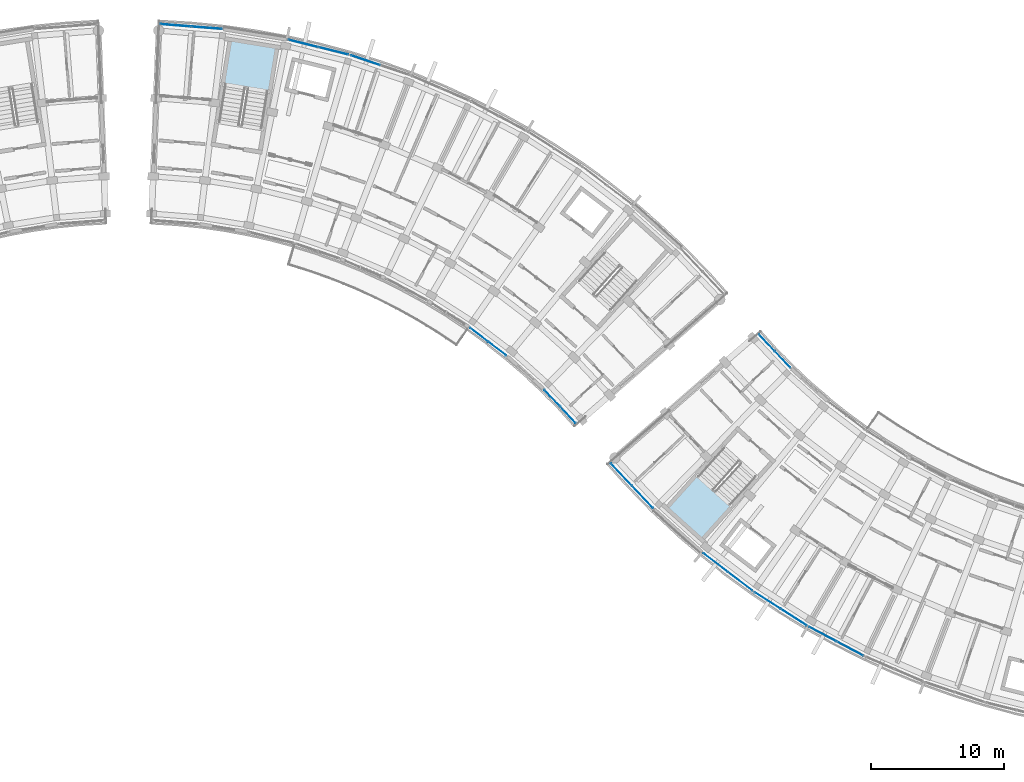
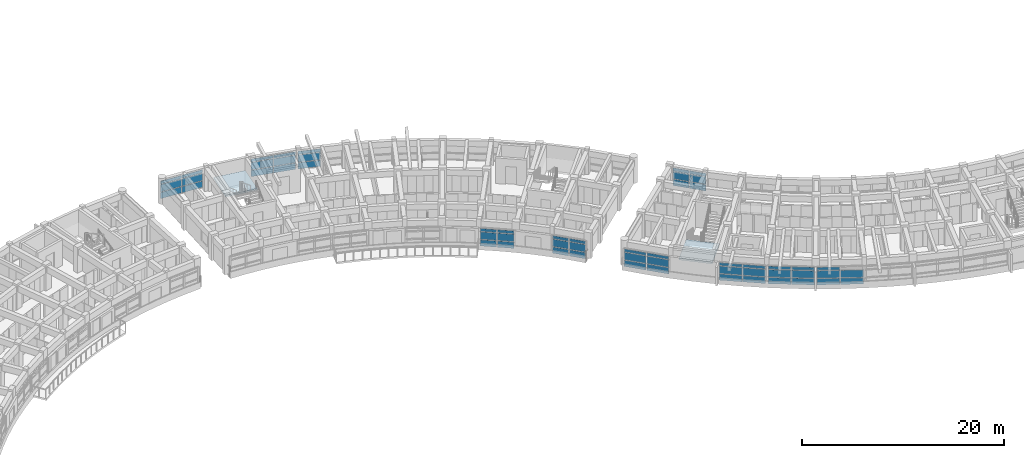
# One storey, part 22 of 56: 56 plates, 2 slabs, 12 elements without a shape of their own.
"""IFC4 building model written with IfcOpenShell, lengths in metres."""

import ifcopenshell
import ifcopenshell.guid

model = None  # the IFC model being written
_history = None  # IfcOwnerHistory: only IFC2X3 demands one
_inside = {}  # id of a spatial element -> (the spatial element, [elements in it])
_under = {}  # id of a project, library or spatial element -> (it, [spatial elements below it])
_declared = {}  # id of a project -> (the project, [libraries it declares])
_typed = {}  # id of a type object -> (the type object, [elements of that type])
_made_of = {}  # id of a material, layer set ... -> (it, [elements and type objects made of it])


def new_model(schema):
    """Start an empty IFC model of exactly this schema.

    Asked for "IFC4X3", IfcOpenShell would pick the latest addendum, in which some entities
    have other attributes; the version numbers below select the first issue.
    IFC2X3 requires an IfcOwnerHistory on every rooted entity: one is made here for all.
    """
    global model, _history
    if schema == "IFC4X3":
        model = ifcopenshell.file(schema_version=(4, 3, 0, 0))
    else:
        model = ifcopenshell.file(schema=schema)
    _inside.clear()
    _under.clear()
    _declared.clear()
    _typed.clear()
    _made_of.clear()
    _history = None
    if model.schema == "IFC2X3":
        org = make("IfcOrganization", Name="unknown")
        user = make(
            "IfcPersonAndOrganization",
            ThePerson=make("IfcPerson", FamilyName="unknown"),
            TheOrganization=org,
        )
        app = make(
            "IfcApplication",
            ApplicationDeveloper=org,
            Version="unknown",
            ApplicationFullName="unknown",
            ApplicationIdentifier="unknown",
        )
        _history = make(
            "IfcOwnerHistory",
            OwningUser=user,
            OwningApplication=app,
            ChangeAction="ADDED",
            CreationDate=0,
        )
    return model


def make(cls, **values):
    """One entity of the class cls with the attributes given. An attribute that is None is left unset."""
    return model.create_entity(
        cls, **{name: value for name, value in values.items() if value is not None}
    )


def rooted(cls, **values):
    """An entity with a GlobalId (a new one), such as an element, a storey or a relation."""
    return make(cls, GlobalId=ifcopenshell.guid.new(), OwnerHistory=_history, **values)


def si_unit(unit_type, name, prefix=None):
    """IfcSIUnit, for example si_unit("LENGTHUNIT", "METRE", prefix="MILLI")."""
    return make("IfcSIUnit", UnitType=unit_type, Prefix=prefix, Name=name)


def assignment(units):
    """IfcUnitAssignment: the units of a project."""
    return None if units is None else make("IfcUnitAssignment", Units=units)


def point(xyz):
    """IfcCartesianPoint."""
    return None if xyz is None else make("IfcCartesianPoint", Coordinates=xyz)


def direction(xyz):
    """IfcDirection."""
    return None if xyz is None else make("IfcDirection", DirectionRatios=xyz)


def frame(location, z_axis=None, x_axis=None):
    """IfcAxis2Placement3D, a coordinate frame: its origin and axes. An axis left out is left unset."""
    return make(
        "IfcAxis2Placement3D",
        Location=point(location),
        Axis=direction(z_axis),
        RefDirection=direction(x_axis),
    )


def frame_2d(location, x_axis=None):
    """IfcAxis2Placement2D, a coordinate frame in the plane: its origin and x axis."""
    return make(
        "IfcAxis2Placement2D", Location=point(location), RefDirection=direction(x_axis)
    )


def origin():
    """The frame at (0, 0, 0) with its axes left unset."""
    return frame((0.0, 0.0, 0.0))


def origin_2d():
    """The frame at (0, 0) in the plane with its x axis left unset."""
    return frame_2d((0.0, 0.0))


def place(relative_to, where):
    """IfcLocalPlacement: puts the frame where relative to a parent placement (None: the world)."""
    return make(
        "IfcLocalPlacement", PlacementRelTo=relative_to, RelativePlacement=where
    )


def context(
    kind, dimensions, precision=None, world=None, true_north=None, identifier=None
):
    """IfcGeometricRepresentationContext, for example the 3D "Model" context."""
    return make(
        "IfcGeometricRepresentationContext",
        ContextIdentifier=identifier,
        ContextType=kind,
        CoordinateSpaceDimension=dimensions,
        Precision=precision,
        WorldCoordinateSystem=world,
        TrueNorth=true_north,
    )


def subcontext(parent, identifier, kind, view, scale=None):
    """IfcGeometricRepresentationSubContext, for example "Body" below "Model"."""
    return make(
        "IfcGeometricRepresentationSubContext",
        ContextIdentifier=identifier,
        ContextType=kind,
        ParentContext=parent,
        TargetScale=scale,
        TargetView=view,
    )


def project(units=None, contexts=None):
    """IfcProject with its units and contexts."""
    return rooted(
        "IfcProject",
        Name="project",
        RepresentationContexts=contexts,
        UnitsInContext=assignment(units),
    )


def spatial(cls, under=None, at=None, **own):
    """A site, building, storey or space (cls), placed at a placement, below another one or the project."""
    s = rooted(cls, ObjectPlacement=at, **own)
    if under is not None:
        _under.setdefault(under.id(), (under, []))[1].append(s)
    return s


def polyline(points):
    """IfcPolyline through the points."""
    return make("IfcPolyline", Points=[point(p) for p in points])


def profile(cls, at=None, kind="AREA", **sizes):
    """A parametric profile (cls). Its sizes go by their IFC names, for example OverallWidth=200.0."""
    return make(cls, ProfileType=kind, Position=at, **sizes)


def rectangle(**sizes):
    """IfcRectangleProfileDef."""
    return profile("IfcRectangleProfileDef", **sizes)


def outline(outer, holes=None, kind="AREA"):
    """IfcArbitraryClosedProfileDef: a profile drawn as a closed curve; with holes, ...WithVoids."""
    if holes is None:
        return make("IfcArbitraryClosedProfileDef", ProfileType=kind, OuterCurve=outer)
    return make(
        "IfcArbitraryProfileDefWithVoids",
        ProfileType=kind,
        OuterCurve=outer,
        InnerCurves=holes,
    )


def extrude(swept, where, along, depth):
    """IfcExtrudedAreaSolid: the profile swept, set in the frame where, extruded along a direction by depth."""
    return make(
        "IfcExtrudedAreaSolid",
        SweptArea=swept,
        Position=where,
        ExtrudedDirection=direction(along),
        Depth=depth,
    )


def shape(context_of_items, identifier, shape_type, items):
    """IfcShapeRepresentation: the items that make up one representation, for example the "Body"."""
    return make(
        "IfcShapeRepresentation",
        ContextOfItems=context_of_items,
        RepresentationIdentifier=identifier,
        RepresentationType=shape_type,
        Items=items,
    )


def material(Name=None, Category=None):
    """IfcMaterial."""
    return make("IfcMaterial", Name=Name, Category=Category)


def layer(
    of_material, thickness, ventilated=None, Name=None, Category=None, Priority=None
):
    """IfcMaterialLayer: one layer of a wall or slab, of a material (None: an air gap)."""
    return make(
        "IfcMaterialLayer",
        Material=of_material,
        LayerThickness=thickness,
        IsVentilated=ventilated,
        Name=Name,
        Category=Category,
        Priority=Priority,
    )


def layer_set(layers, Name=None):
    """IfcMaterialLayerSet."""
    return make("IfcMaterialLayerSet", MaterialLayers=layers, LayerSetName=Name)


def made_of(thing, what):
    """Note that an element or type object is made of a material, layer set ...; save() writes the relation."""
    if what is not None:
        _made_of.setdefault(what.id(), (what, []))[1].append(thing)
    return thing


def type_object(cls, material=None, **own):
    """A type object (cls), such as IfcWallType, which elements share."""
    return made_of(rooted(cls, **own), material)


def element(
    cls,
    number,
    at=None,
    inside=None,
    cuts=None,
    type_object=None,
    material=None,
    context=None,
    identifier="Body",
    shape_type=None,
    held_by="IfcProductDefinitionShape",
    body=None,
    shapes=None,
    **own,
):
    """One element of the class cls, such as IfcWall. Its Tag is "e" and its number.

    at: its placement. inside: the storey or other place that contains it. cuts: it is an
    opening in that element (IfcRelVoidsElement). A single representation is given by context,
    identifier, shape_type and body (its items); several are given by shapes. held_by: the class
    of the entity that holds the representations. save() writes the other relations.
    """
    e = rooted(cls, Tag="e%d" % number, ObjectPlacement=at, **own)
    if body is not None:
        shapes = [shape(context, identifier, shape_type, body)]
    if shapes is not None:
        e.Representation = make(held_by, Representations=shapes)
    if inside is not None:
        _inside.setdefault(inside.id(), (inside, []))[1].append(e)
    if cuts is not None:
        rooted(
            "IfcRelVoidsElement", RelatingBuildingElement=cuts, RelatedOpeningElement=e
        )
    if type_object is not None:
        _typed.setdefault(type_object.id(), (type_object, []))[1].append(e)
    return made_of(e, material)


def aggregate(whole, parts):
    """IfcRelAggregates: a whole, such as a stair, and the parts it consists of."""
    return rooted("IfcRelAggregates", RelatingObject=whole, RelatedObjects=parts)


def save(model, path):
    """Write the relations noted so far, then the file.

    IfcRelAggregates (storeys below a building ...), IfcRelContainedInSpatialStructure (elements
    in a storey), IfcRelDefinesByType, IfcRelAssociatesMaterial and IfcRelDeclares: one each for
    every whole, place, type object, material and project.
    """
    for whole, parts in _under.values():
        aggregate(whole, parts)
    for where, things in _inside.values():
        rooted(
            "IfcRelContainedInSpatialStructure",
            RelatedElements=things,
            RelatingStructure=where,
        )
    for kind, things in _typed.values():
        rooted("IfcRelDefinesByType", RelatedObjects=things, RelatingType=kind)
    for what, things in _made_of.values():
        rooted("IfcRelAssociatesMaterial", RelatedObjects=things, RelatingMaterial=what)
    for by, libraries in _declared.values():
        rooted("IfcRelDeclares", RelatingContext=by, RelatedDefinitions=libraries)
    model.write(path)


model = new_model("IFC4")

# Units and contexts
model_context = context("Model", 3, precision=1e-05, world=origin(), true_north=direction((0.0, 1.0)))
body_context = subcontext(model_context, "Body", "Model", "MODEL_VIEW")
ifc_project = project(units=[si_unit("LENGTHUNIT", "METRE"), si_unit("AREAUNIT", "SQUARE_METRE"), si_unit("VOLUMEUNIT", "CUBIC_METRE"), si_unit("PLANEANGLEUNIT", "RADIAN"), si_unit("MASSUNIT", "GRAM", prefix="KILO")], contexts=[model_context])

# Site, building, storey
site_placement = place(None, origin())
site = spatial("IfcSite", under=ifc_project, at=site_placement, CompositionType="ELEMENT")
building_placement = place(site_placement, origin())
building = spatial("IfcBuilding", under=site, at=building_placement, Name="Zimvara Arc Housing Community", CompositionType="ELEMENT")
storey_placement = place(building_placement, frame((0.0, 0.0, 11.199951171875)))
storey = spatial("IfcBuildingStorey", under=building, at=storey_placement, Name="L03", CompositionType="ELEMENT", Elevation=11.199951171875)

# Curtain wall, plates
ifc_material_1 = material(Name="Anodised Aluminium AW-6063", Category="aluminium")
curtain_wall_type_1 = type_object("IfcCurtainWallType", Name="CW-SYS-04", PredefinedType="USERDEFINED", material=ifc_material_1)
curtain_wall_1_placement = place(storey_placement, origin())
curtain_wall_1 = element("IfcCurtainWall", 1, at=curtain_wall_1_placement, inside=storey, type_object=curtain_wall_type_1, Name="cw:blkB:L03:in:b9", ObjectType="CURTAIN WALL", PredefinedType="USERDEFINED")
ifc_material_2 = material(Name="Pale-Gold Anodised Aluminium Spandrel Panel", Category="aluminium")
ifc_layer_1 = layer(ifc_material_2, 0.035888671875)
ifc_layer_set_1 = layer_set([ifc_layer_1], Name="Pale-Gold Anodised Aluminium Spandrel Panel")
plate_type_1 = type_object("IfcPlateType", Name="CWP-GLD-36", PredefinedType="CURTAIN_PANEL", material=ifc_layer_set_1)
plate_1_placement = place(storey_placement, frame((76.831298828125, 75.727294921875, 0.065185546875), z_axis=(0.0, 0.0, 1.0), x_axis=(0.686326805658, -0.727293280483, 0.0)))
plate_1 = element("IfcPlate", 2, at=plate_1_placement, type_object=plate_type_1, Name="CW04 panel 1.1", PredefinedType="CURTAIN_PANEL", context=body_context, shape_type="SweptSolid", body=[
    extrude(rectangle(XDim=1.664306640625, YDim=0.035888671875, at=origin_2d()), origin(), (0.0, 0.0, 1.0), 0.75244140625),
])
plate_2_placement = place(storey_placement, frame((76.831298828125, 75.727294921875, 0.88232421875), z_axis=(0.0, 0.0, 1.0), x_axis=(0.686326805658, -0.727293280483, 0.0)))
plate_2 = element("IfcPlate", 3, at=plate_2_placement, type_object=plate_type_1, Name="CW04 panel 1.2", PredefinedType="CURTAIN_PANEL", context=body_context, shape_type="SweptSolid", body=[
    extrude(rectangle(XDim=1.664306640625, YDim=0.035888671875, at=origin_2d()), origin(), (0.0, 0.0, 1.0), 0.885009765625),
])
plate_3_placement = place(storey_placement, frame((76.831298828125, 75.727294921875, 1.83251953125), z_axis=(0.0, 0.0, 1.0), x_axis=(0.686326805658, -0.727293280483, 0.0)))
plate_3 = element("IfcPlate", 4, at=plate_3_placement, type_object=plate_type_1, Name="CW04 panel 1.3", PredefinedType="CURTAIN_PANEL", context=body_context, shape_type="SweptSolid", body=[
    extrude(rectangle(XDim=1.664306640625, YDim=0.035888671875, at=origin_2d()), origin(), (0.0, 0.0, 1.0), 0.3525390625),
])
plate_4_placement = place(storey_placement, frame((78.018310546875, 74.469482421875, 0.065185546875), z_axis=(0.0, 0.0, 1.0), x_axis=(0.686326805658, -0.727293280483, 0.0)))
plate_4 = element("IfcPlate", 5, at=plate_4_placement, type_object=plate_type_1, Name="CW04 panel 2.1", PredefinedType="CURTAIN_PANEL", context=body_context, shape_type="SweptSolid", body=[
    extrude(rectangle(XDim=1.664306640625, YDim=0.035888671875, at=origin_2d()), origin(), (0.0, 0.0, 1.0), 0.75244140625),
])
plate_5_placement = place(storey_placement, frame((78.018310546875, 74.469482421875, 0.88232421875), z_axis=(0.0, 0.0, 1.0), x_axis=(0.686326805658, -0.727293280483, 0.0)))
plate_5 = element("IfcPlate", 6, at=plate_5_placement, type_object=plate_type_1, Name="CW04 panel 2.2", PredefinedType="CURTAIN_PANEL", context=body_context, shape_type="SweptSolid", body=[
    extrude(rectangle(XDim=1.664306640625, YDim=0.035888671875, at=origin_2d()), origin(), (0.0, 0.0, 1.0), 0.885009765625),
])
plate_6_placement = place(storey_placement, frame((78.018310546875, 74.469482421875, 1.83251953125), z_axis=(0.0, 0.0, 1.0), x_axis=(0.686326805658, -0.727293280483, 0.0)))
plate_6 = element("IfcPlate", 7, at=plate_6_placement, type_object=plate_type_1, Name="CW04 panel 2.3", PredefinedType="CURTAIN_PANEL", context=body_context, shape_type="SweptSolid", body=[
    extrude(rectangle(XDim=1.664306640625, YDim=0.035888671875, at=origin_2d()), origin(), (0.0, 0.0, 1.0), 0.3525390625),
])
aggregate(curtain_wall_1, [plate_1, plate_2, plate_3, plate_4, plate_5, plate_6])

curtain_wall_2_placement = place(storey_placement, origin())
curtain_wall_2 = element("IfcCurtainWall", 8, at=curtain_wall_2_placement, inside=storey, type_object=curtain_wall_type_1, Name="cw:blkC:L03:in:b0", ObjectType="CURTAIN WALL", PredefinedType="USERDEFINED")
plate_7_placement = place(storey_placement, frame((92.961669921875, 79.890625, 0.065185546875), z_axis=(0.0, 0.0, 1.0), x_axis=(0.686326805658, -0.727293280483, 0.0)))
plate_7 = element("IfcPlate", 9, at=plate_7_placement, type_object=plate_type_1, Name="CW04 panel 1.1", PredefinedType="CURTAIN_PANEL", context=body_context, shape_type="SweptSolid", body=[
    extrude(rectangle(XDim=1.664306640625, YDim=0.035888671875, at=origin_2d()), origin(), (0.0, 0.0, 1.0), 0.75244140625),
])
plate_8_placement = place(storey_placement, frame((92.961669921875, 79.890625, 0.88232421875), z_axis=(0.0, 0.0, 1.0), x_axis=(0.686326805658, -0.727293280483, 0.0)))
plate_8 = element("IfcPlate", 10, at=plate_8_placement, type_object=plate_type_1, Name="CW04 panel 1.2", PredefinedType="CURTAIN_PANEL", context=body_context, shape_type="SweptSolid", body=[
    extrude(rectangle(XDim=1.664306640625, YDim=0.035888671875, at=origin_2d()), origin(), (0.0, 0.0, 1.0), 0.885009765625),
])
plate_9_placement = place(storey_placement, frame((92.961669921875, 79.890625, 1.83251953125), z_axis=(0.0, 0.0, 1.0), x_axis=(0.686326805658, -0.727293280483, 0.0)))
plate_9 = element("IfcPlate", 11, at=plate_9_placement, type_object=plate_type_1, Name="CW04 panel 1.3", PredefinedType="CURTAIN_PANEL", context=body_context, shape_type="SweptSolid", body=[
    extrude(rectangle(XDim=1.664306640625, YDim=0.035888671875, at=origin_2d()), origin(), (0.0, 0.0, 1.0), 0.3525390625),
])
plate_10_placement = place(storey_placement, frame((94.148681640625, 78.6328125, 0.065185546875), z_axis=(0.0, 0.0, 1.0), x_axis=(0.686326805658, -0.727293280483, 0.0)))
plate_10 = element("IfcPlate", 12, at=plate_10_placement, type_object=plate_type_1, Name="CW04 panel 2.1", PredefinedType="CURTAIN_PANEL", context=body_context, shape_type="SweptSolid", body=[
    extrude(rectangle(XDim=1.664306640625, YDim=0.035888671875, at=origin_2d()), origin(), (0.0, 0.0, 1.0), 0.75244140625),
])
plate_11_placement = place(storey_placement, frame((94.148681640625, 78.6328125, 0.88232421875), z_axis=(0.0, 0.0, 1.0), x_axis=(0.686326805658, -0.727293280483, 0.0)))
plate_11 = element("IfcPlate", 13, at=plate_11_placement, type_object=plate_type_1, Name="CW04 panel 2.2", PredefinedType="CURTAIN_PANEL", context=body_context, shape_type="SweptSolid", body=[
    extrude(rectangle(XDim=1.664306640625, YDim=0.035888671875, at=origin_2d()), origin(), (0.0, 0.0, 1.0), 0.885009765625),
])
plate_12_placement = place(storey_placement, frame((94.148681640625, 78.6328125, 1.83251953125), z_axis=(0.0, 0.0, 1.0), x_axis=(0.686326805658, -0.727293280483, 0.0)))
plate_12 = element("IfcPlate", 14, at=plate_12_placement, type_object=plate_type_1, Name="CW04 panel 2.3", PredefinedType="CURTAIN_PANEL", context=body_context, shape_type="SweptSolid", body=[
    extrude(rectangle(XDim=1.664306640625, YDim=0.035888671875, at=origin_2d()), origin(), (0.0, 0.0, 1.0), 0.3525390625),
])
aggregate(curtain_wall_2, [plate_7, plate_8, plate_9, plate_10, plate_11, plate_12])

ifc_material_3 = material(Name="Anodised Aluminium AW-6063", Category="aluminium")
curtain_wall_type_2 = type_object("IfcCurtainWallType", Name="CW-SYS-01", PredefinedType="USERDEFINED", material=ifc_material_3)
curtain_wall_3_placement = place(storey_placement, origin())
curtain_wall_3 = element("IfcCurtainWall", 15, at=curtain_wall_3_placement, inside=storey, type_object=curtain_wall_type_2, Name="cw:blkB:L03:out:b2", ObjectType="CURTAIN WALL", PredefinedType="USERDEFINED")
ifc_material_4 = material(Name="Solar Control Low-E Double Glazing", Category="glass")
ifc_layer_2 = layer(ifc_material_4, 0.02392578125)
ifc_layer_set_2 = layer_set([ifc_layer_2], Name="Solar Control Low-E Double Glazing")
plate_type_2 = type_object("IfcPlateType", Name="CWP-GLZ-24", PredefinedType="CURTAIN_PANEL", material=ifc_layer_set_2)
plate_13_placement = place(storey_placement, frame((58.12109375, 102.373291015625, 0.065185546875), z_axis=(0.0, 0.0, 1.0), x_axis=(0.970716068627, -0.240229711131, 0.0)))
plate_13 = element("IfcPlate", 16, at=plate_13_placement, type_object=plate_type_2, Name="CW01 panel 1.1", PredefinedType="CURTAIN_PANEL", context=body_context, shape_type="SweptSolid", body=[
    extrude(rectangle(XDim=2.266845703125, YDim=0.02392578125, at=origin_2d()), origin(), (0.0, 0.0, 1.0), 0.75244140625),
])
plate_14_placement = place(storey_placement, frame((58.12109375, 102.373291015625, 0.88232421875), z_axis=(0.0, 0.0, 1.0), x_axis=(0.970716068627, -0.240229711131, 0.0)))
plate_14 = element("IfcPlate", 17, at=plate_14_placement, type_object=plate_type_2, Name="CW01 panel 1.2", PredefinedType="CURTAIN_PANEL", context=body_context, shape_type="SweptSolid", body=[
    extrude(rectangle(XDim=2.266845703125, YDim=0.02392578125, at=origin_2d()), origin(), (0.0, 0.0, 1.0), 0.885009765625),
])
plate_15_placement = place(storey_placement, frame((58.12109375, 102.373291015625, 1.83251953125), z_axis=(0.0, 0.0, 1.0), x_axis=(0.970716068627, -0.240229711131, 0.0)))
plate_15 = element("IfcPlate", 18, at=plate_15_placement, type_object=plate_type_2, Name="CW01 panel 1.3", PredefinedType="CURTAIN_PANEL", context=body_context, shape_type="SweptSolid", body=[
    extrude(rectangle(XDim=2.266845703125, YDim=0.02392578125, at=origin_2d()), origin(), (0.0, 0.0, 1.0), 0.3525390625),
])
plate_16_placement = place(storey_placement, frame((60.384765625, 101.81298828125, 0.065185546875), z_axis=(0.0, 0.0, 1.0), x_axis=(0.970716068627, -0.240229711131, 0.0)))
plate_16 = element("IfcPlate", 19, at=plate_16_placement, type_object=plate_type_2, Name="CW01 panel 2.1", PredefinedType="CURTAIN_PANEL", context=body_context, shape_type="SweptSolid", body=[
    extrude(rectangle(XDim=2.266845703125, YDim=0.02392578125, at=origin_2d()), origin(), (0.0, 0.0, 1.0), 0.75244140625),
])
plate_17_placement = place(storey_placement, frame((60.384765625, 101.81298828125, 0.88232421875), z_axis=(0.0, 0.0, 1.0), x_axis=(0.970716068627, -0.240229711131, 0.0)))
plate_17 = element("IfcPlate", 20, at=plate_17_placement, type_object=plate_type_2, Name="CW01 panel 2.2", PredefinedType="CURTAIN_PANEL", context=body_context, shape_type="SweptSolid", body=[
    extrude(rectangle(XDim=2.266845703125, YDim=0.02392578125, at=origin_2d()), origin(), (0.0, 0.0, 1.0), 0.885009765625),
])
plate_18_placement = place(storey_placement, frame((60.384765625, 101.81298828125, 1.83251953125), z_axis=(0.0, 0.0, 1.0), x_axis=(0.970716068627, -0.240229711131, 0.0)))
plate_18 = element("IfcPlate", 21, at=plate_18_placement, type_object=plate_type_2, Name="CW01 panel 2.3", PredefinedType="CURTAIN_PANEL", context=body_context, shape_type="SweptSolid", body=[
    extrude(rectangle(XDim=2.266845703125, YDim=0.02392578125, at=origin_2d()), origin(), (0.0, 0.0, 1.0), 0.3525390625),
])
aggregate(curtain_wall_3, [plate_13, plate_14, plate_15, plate_16, plate_17, plate_18])

ifc_material_5 = material(Name="Anodised Aluminium AW-6063", Category="aluminium")
curtain_wall_type_3 = type_object("IfcCurtainWallType", Name="CW-SYS-05", PredefinedType="USERDEFINED", material=ifc_material_5)
curtain_wall_4_placement = place(storey_placement, origin())
curtain_wall_4 = element("IfcCurtainWall", 22, at=curtain_wall_4_placement, inside=storey, type_object=curtain_wall_type_3, Name="cw:blkC:L03:out:b2", ObjectType="CURTAIN WALL", PredefinedType="USERDEFINED")
plate_19_placement = place(storey_placement, frame((89.098876953125, 63.370849609375, 0.065185546875), z_axis=(0.0, 0.0, 1.0), x_axis=(0.795473999177, -0.60598771987, 0.0)))
plate_19 = element("IfcPlate", 23, at=plate_19_placement, type_object=plate_type_2, Name="CW05 panel 1.1", PredefinedType="CURTAIN_PANEL", context=body_context, shape_type="SweptSolid", body=[
    extrude(rectangle(XDim=2.266845703125, YDim=0.02392578125, at=origin_2d()), origin(), (0.0, 0.0, 1.0), 0.75244140625),
])
plate_20_placement = place(storey_placement, frame((89.098876953125, 63.370849609375, 0.88232421875), z_axis=(0.0, 0.0, 1.0), x_axis=(0.795473999177, -0.60598771987, 0.0)))
plate_20 = element("IfcPlate", 24, at=plate_20_placement, type_object=plate_type_2, Name="CW05 panel 1.2", PredefinedType="CURTAIN_PANEL", context=body_context, shape_type="SweptSolid", body=[
    extrude(rectangle(XDim=2.266845703125, YDim=0.02392578125, at=origin_2d()), origin(), (0.0, 0.0, 1.0), 0.885009765625),
])
plate_21_placement = place(storey_placement, frame((89.098876953125, 63.370849609375, 1.83251953125), z_axis=(0.0, 0.0, 1.0), x_axis=(0.795473999177, -0.60598771987, 0.0)))
plate_21 = element("IfcPlate", 25, at=plate_21_placement, type_object=plate_type_2, Name="CW05 panel 1.3", PredefinedType="CURTAIN_PANEL", context=body_context, shape_type="SweptSolid", body=[
    extrude(rectangle(XDim=2.266845703125, YDim=0.02392578125, at=origin_2d()), origin(), (0.0, 0.0, 1.0), 0.3525390625),
])
plate_22_placement = place(storey_placement, frame((90.953857421875, 61.95751953125, 0.065185546875), z_axis=(0.0, 0.0, 1.0), x_axis=(0.795473999177, -0.60598771987, 0.0)))
plate_22 = element("IfcPlate", 26, at=plate_22_placement, type_object=plate_type_2, Name="CW05 panel 2.1", PredefinedType="CURTAIN_PANEL", context=body_context, shape_type="SweptSolid", body=[
    extrude(rectangle(XDim=2.266845703125, YDim=0.02392578125, at=origin_2d()), origin(), (0.0, 0.0, 1.0), 0.75244140625),
])
plate_23_placement = place(storey_placement, frame((90.953857421875, 61.95751953125, 0.88232421875), z_axis=(0.0, 0.0, 1.0), x_axis=(0.795473999177, -0.60598771987, 0.0)))
plate_23 = element("IfcPlate", 27, at=plate_23_placement, type_object=plate_type_2, Name="CW05 panel 2.2", PredefinedType="CURTAIN_PANEL", context=body_context, shape_type="SweptSolid", body=[
    extrude(rectangle(XDim=2.266845703125, YDim=0.02392578125, at=origin_2d()), origin(), (0.0, 0.0, 1.0), 0.885009765625),
])
plate_24_placement = place(storey_placement, frame((90.953857421875, 61.95751953125, 1.83251953125), z_axis=(0.0, 0.0, 1.0), x_axis=(0.795473999177, -0.60598771987, 0.0)))
plate_24 = element("IfcPlate", 28, at=plate_24_placement, type_object=plate_type_2, Name="CW05 panel 2.3", PredefinedType="CURTAIN_PANEL", context=body_context, shape_type="SweptSolid", body=[
    extrude(rectangle(XDim=2.266845703125, YDim=0.02392578125, at=origin_2d()), origin(), (0.0, 0.0, 1.0), 0.3525390625),
])
aggregate(curtain_wall_4, [plate_19, plate_20, plate_21, plate_22, plate_23, plate_24])

curtain_wall_5_placement = place(storey_placement, origin())
curtain_wall_5 = element("IfcCurtainWall", 29, at=curtain_wall_5_placement, inside=storey, type_object=curtain_wall_type_2, Name="cw:blkC:L03:out:b4", ObjectType="CURTAIN WALL", PredefinedType="USERDEFINED")
plate_25_placement = place(storey_placement, frame((97.15087890625, 57.991455078125, 0.065185546875), z_axis=(0.0, 0.0, 1.0), x_axis=(0.883438614651, -0.468546917761, 0.0)))
plate_25 = element("IfcPlate", 30, at=plate_25_placement, type_object=plate_type_2, Name="CW01 panel 1.1", PredefinedType="CURTAIN_PANEL", context=body_context, shape_type="SweptSolid", body=[
    extrude(rectangle(XDim=2.266845703125, YDim=0.02392578125, at=origin_2d()), origin(), (0.0, 0.0, 1.0), 0.75244140625),
])
plate_26_placement = place(storey_placement, frame((97.15087890625, 57.991455078125, 0.88232421875), z_axis=(0.0, 0.0, 1.0), x_axis=(0.883438614651, -0.468546917761, 0.0)))
plate_26 = element("IfcPlate", 31, at=plate_26_placement, type_object=plate_type_2, Name="CW01 panel 1.2", PredefinedType="CURTAIN_PANEL", context=body_context, shape_type="SweptSolid", body=[
    extrude(rectangle(XDim=2.266845703125, YDim=0.02392578125, at=origin_2d()), origin(), (0.0, 0.0, 1.0), 0.885009765625),
])
plate_27_placement = place(storey_placement, frame((97.15087890625, 57.991455078125, 1.83251953125), z_axis=(0.0, 0.0, 1.0), x_axis=(0.883438614651, -0.468546917761, 0.0)))
plate_27 = element("IfcPlate", 32, at=plate_27_placement, type_object=plate_type_2, Name="CW01 panel 1.3", PredefinedType="CURTAIN_PANEL", context=body_context, shape_type="SweptSolid", body=[
    extrude(rectangle(XDim=2.266845703125, YDim=0.02392578125, at=origin_2d()), origin(), (0.0, 0.0, 1.0), 0.3525390625),
])
plate_28_placement = place(storey_placement, frame((99.2109375, 56.89892578125, 0.065185546875), z_axis=(0.0, 0.0, 1.0), x_axis=(0.883438614651, -0.468546917761, 0.0)))
plate_28 = element("IfcPlate", 33, at=plate_28_placement, type_object=plate_type_2, Name="CW01 panel 2.1", PredefinedType="CURTAIN_PANEL", context=body_context, shape_type="SweptSolid", body=[
    extrude(rectangle(XDim=2.266845703125, YDim=0.02392578125, at=origin_2d()), origin(), (0.0, 0.0, 1.0), 0.75244140625),
])
plate_29_placement = place(storey_placement, frame((99.2109375, 56.89892578125, 0.88232421875), z_axis=(0.0, 0.0, 1.0), x_axis=(0.883438614651, -0.468546917761, 0.0)))
plate_29 = element("IfcPlate", 34, at=plate_29_placement, type_object=plate_type_2, Name="CW01 panel 2.2", PredefinedType="CURTAIN_PANEL", context=body_context, shape_type="SweptSolid", body=[
    extrude(rectangle(XDim=2.266845703125, YDim=0.02392578125, at=origin_2d()), origin(), (0.0, 0.0, 1.0), 0.885009765625),
])
aggregate(curtain_wall_5, [plate_25, plate_26, plate_27, plate_28, plate_29])

ifc_material_6 = material(Name="Anodised Aluminium AW-6063", Category="aluminium")
curtain_wall_type_4 = type_object("IfcCurtainWallType", Name="CW-SYS-02", PredefinedType="USERDEFINED", material=ifc_material_6)
curtain_wall_6_placement = place(storey_placement, origin())
curtain_wall_6 = element("IfcCurtainWall", 35, at=curtain_wall_6_placement, inside=storey, type_object=curtain_wall_type_4, Name="cw:blkB:L03:in:b7", ObjectType="CURTAIN WALL", PredefinedType="USERDEFINED")
ifc_material_7 = material(Name="Solar Control Low-E Double Glazing", Category="glass")
ifc_layer_3 = layer(ifc_material_7, 0.028076171875)
ifc_layer_set_3 = layer_set([ifc_layer_3], Name="Solar Control Low-E Double Glazing")
plate_type_3 = type_object("IfcPlateType", Name="CWP-GLZ-28", PredefinedType="CURTAIN_PANEL", material=ifc_layer_set_3)
plate_30_placement = place(storey_placement, frame((71.328857421875, 80.48828125, 0.065185546875), z_axis=(0.0, 0.0, 1.0), x_axis=(0.795473543119, -0.605988318533, 0.0)))
plate_30 = element("IfcPlate", 36, at=plate_30_placement, type_object=plate_type_3, Name="CW02 panel 1.1", PredefinedType="CURTAIN_PANEL", context=body_context, shape_type="SweptSolid", body=[
    extrude(rectangle(XDim=1.664306640625, YDim=0.028076171875, at=origin_2d()), origin(), (0.0, 0.0, 1.0), 0.75244140625),
])
plate_31_placement = place(storey_placement, frame((71.328857421875, 80.48828125, 0.88232421875), z_axis=(0.0, 0.0, 1.0), x_axis=(0.795473543119, -0.605988318533, 0.0)))
plate_31 = element("IfcPlate", 37, at=plate_31_placement, type_object=plate_type_3, Name="CW02 panel 1.2", PredefinedType="CURTAIN_PANEL", context=body_context, shape_type="SweptSolid", body=[
    extrude(rectangle(XDim=1.664306640625, YDim=0.028076171875, at=origin_2d()), origin(), (0.0, 0.0, 1.0), 0.885009765625),
])
plate_32_placement = place(storey_placement, frame((71.328857421875, 80.48828125, 1.83251953125), z_axis=(0.0, 0.0, 1.0), x_axis=(0.795473543119, -0.605988318533, 0.0)))
plate_32 = element("IfcPlate", 38, at=plate_32_placement, type_object=plate_type_3, Name="CW02 panel 1.3", PredefinedType="CURTAIN_PANEL", context=body_context, shape_type="SweptSolid", body=[
    extrude(rectangle(XDim=1.664306640625, YDim=0.028076171875, at=origin_2d()), origin(), (0.0, 0.0, 1.0), 0.3525390625),
])
plate_33_placement = place(storey_placement, frame((72.704345703125, 79.4404296875, 0.065185546875), z_axis=(0.0, 0.0, 1.0), x_axis=(0.795473543119, -0.605988318533, 0.0)))
plate_33 = element("IfcPlate", 39, at=plate_33_placement, type_object=plate_type_3, Name="CW02 panel 2.1", PredefinedType="CURTAIN_PANEL", context=body_context, shape_type="SweptSolid", body=[
    extrude(rectangle(XDim=1.664306640625, YDim=0.028076171875, at=origin_2d()), origin(), (0.0, 0.0, 1.0), 0.75244140625),
])
plate_34_placement = place(storey_placement, frame((72.704345703125, 79.4404296875, 0.88232421875), z_axis=(0.0, 0.0, 1.0), x_axis=(0.795473543119, -0.605988318533, 0.0)))
plate_34 = element("IfcPlate", 40, at=plate_34_placement, type_object=plate_type_3, Name="CW02 panel 2.2", PredefinedType="CURTAIN_PANEL", context=body_context, shape_type="SweptSolid", body=[
    extrude(rectangle(XDim=1.664306640625, YDim=0.028076171875, at=origin_2d()), origin(), (0.0, 0.0, 1.0), 0.885009765625),
])
plate_35_placement = place(storey_placement, frame((72.704345703125, 79.4404296875, 1.83251953125), z_axis=(0.0, 0.0, 1.0), x_axis=(0.795473543119, -0.605988318533, 0.0)))
plate_35 = element("IfcPlate", 41, at=plate_35_placement, type_object=plate_type_3, Name="CW02 panel 2.3", PredefinedType="CURTAIN_PANEL", context=body_context, shape_type="SweptSolid", body=[
    extrude(rectangle(XDim=1.664306640625, YDim=0.028076171875, at=origin_2d()), origin(), (0.0, 0.0, 1.0), 0.3525390625),
])
aggregate(curtain_wall_6, [plate_30, plate_31, plate_32, plate_33, plate_34, plate_35])

ifc_material_8 = material(Name="Anodised Aluminium AW-6063", Category="aluminium")
curtain_wall_type_5 = type_object("IfcCurtainWallType", Name="CW-SYS-07", PredefinedType="USERDEFINED", material=ifc_material_8)
curtain_wall_7_placement = place(storey_placement, origin())
curtain_wall_7 = element("IfcCurtainWall", 42, at=curtain_wall_7_placement, inside=storey, type_object=curtain_wall_type_5, Name="cw:blkB:L03:out:b0", ObjectType="CURTAIN WALL", PredefinedType="USERDEFINED")
ifc_material_9 = material(Name="Acoustic Laminated Solar Glazing", Category="glass")
ifc_layer_4 = layer(ifc_material_9, 0.031982421875)
ifc_layer_set_4 = layer_set([ifc_layer_4], Name="Acoustic Laminated Solar Glazing")
plate_type_4 = type_object("IfcPlateType", Name="CWP-GLZ-32", PredefinedType="CURTAIN_PANEL", material=ifc_layer_set_4)
plate_36_placement = place(storey_placement, frame((48.533935546875, 103.736572265625, 0.065185546875), z_axis=(0.0, 0.0, 1.0), x_axis=(0.996862418963, -0.079153759607, 0.0)))
plate_36 = element("IfcPlate", 43, at=plate_36_placement, type_object=plate_type_4, Name="CW07 panel 1.1", PredefinedType="CURTAIN_PANEL", context=body_context, shape_type="SweptSolid", body=[
    extrude(rectangle(XDim=2.266845703125, YDim=0.031982421875, at=origin_2d()), origin(), (0.0, 0.0, 1.0), 0.75244140625),
])
plate_37_placement = place(storey_placement, frame((48.533935546875, 103.736572265625, 0.88232421875), z_axis=(0.0, 0.0, 1.0), x_axis=(0.996862418963, -0.079153759607, 0.0)))
plate_37 = element("IfcPlate", 44, at=plate_37_placement, type_object=plate_type_4, Name="CW07 panel 1.2", PredefinedType="CURTAIN_PANEL", context=body_context, shape_type="SweptSolid", body=[
    extrude(rectangle(XDim=2.266845703125, YDim=0.031982421875, at=origin_2d()), origin(), (0.0, 0.0, 1.0), 0.885009765625),
])
plate_38_placement = place(storey_placement, frame((48.533935546875, 103.736572265625, 1.83251953125), z_axis=(0.0, 0.0, 1.0), x_axis=(0.996862418963, -0.079153759607, 0.0)))
plate_38 = element("IfcPlate", 45, at=plate_38_placement, type_object=plate_type_4, Name="CW07 panel 1.3", PredefinedType="CURTAIN_PANEL", context=body_context, shape_type="SweptSolid", body=[
    extrude(rectangle(XDim=2.266845703125, YDim=0.031982421875, at=origin_2d()), origin(), (0.0, 0.0, 1.0), 0.3525390625),
])
plate_39_placement = place(storey_placement, frame((50.858642578125, 103.552001953125, 0.065185546875), z_axis=(0.0, 0.0, 1.0), x_axis=(0.996862418963, -0.079153759607, 0.0)))
plate_39 = element("IfcPlate", 46, at=plate_39_placement, type_object=plate_type_4, Name="CW07 panel 2.1", PredefinedType="CURTAIN_PANEL", context=body_context, shape_type="SweptSolid", body=[
    extrude(rectangle(XDim=2.266845703125, YDim=0.031982421875, at=origin_2d()), origin(), (0.0, 0.0, 1.0), 0.75244140625),
])
plate_40_placement = place(storey_placement, frame((50.858642578125, 103.552001953125, 0.88232421875), z_axis=(0.0, 0.0, 1.0), x_axis=(0.996862418963, -0.079153759607, 0.0)))
plate_40 = element("IfcPlate", 47, at=plate_40_placement, type_object=plate_type_4, Name="CW07 panel 2.2", PredefinedType="CURTAIN_PANEL", context=body_context, shape_type="SweptSolid", body=[
    extrude(rectangle(XDim=2.266845703125, YDim=0.031982421875, at=origin_2d()), origin(), (0.0, 0.0, 1.0), 0.885009765625),
])
plate_41_placement = place(storey_placement, frame((50.858642578125, 103.552001953125, 1.83251953125), z_axis=(0.0, 0.0, 1.0), x_axis=(0.996862418963, -0.079153759607, 0.0)))
plate_41 = element("IfcPlate", 48, at=plate_41_placement, type_object=plate_type_4, Name="CW07 panel 2.3", PredefinedType="CURTAIN_PANEL", context=body_context, shape_type="SweptSolid", body=[
    extrude(rectangle(XDim=2.266845703125, YDim=0.031982421875, at=origin_2d()), origin(), (0.0, 0.0, 1.0), 0.3525390625),
])
aggregate(curtain_wall_7, [plate_36, plate_37, plate_38, plate_39, plate_40, plate_41])

ifc_material_10 = material(Name="Anodised Aluminium AW-6063", Category="aluminium")
curtain_wall_type_6 = type_object("IfcCurtainWallType", Name="CW-SYS-03", PredefinedType="USERDEFINED", material=ifc_material_10)
curtain_wall_8_placement = place(storey_placement, origin())
curtain_wall_8 = element("IfcCurtainWall", 49, at=curtain_wall_8_placement, inside=storey, type_object=curtain_wall_type_6, Name="cw:blkB:L03:out:b3", ObjectType="CURTAIN WALL", PredefinedType="USERDEFINED")
plate_42_placement = place(storey_placement, frame((62.799072265625, 101.109619140625, 0.065185546875), z_axis=(0.0, 0.0, 1.0), x_axis=(0.947879647164, -0.318628583921, 0.0)))
plate_42 = element("IfcPlate", 50, at=plate_42_placement, type_object=plate_type_4, Name="CW03 panel 1.1", PredefinedType="CURTAIN_PANEL", context=body_context, shape_type="SweptSolid", body=[
    extrude(rectangle(XDim=2.266845703125, YDim=0.031982421875, at=origin_2d()), origin(), (0.0, 0.0, 1.0), 0.75244140625),
])
plate_43_placement = place(storey_placement, frame((62.799072265625, 101.109619140625, 0.88232421875), z_axis=(0.0, 0.0, 1.0), x_axis=(0.947879647164, -0.318628583921, 0.0)))
plate_43 = element("IfcPlate", 51, at=plate_43_placement, type_object=plate_type_4, Name="CW03 panel 1.2", PredefinedType="CURTAIN_PANEL", context=body_context, shape_type="SweptSolid", body=[
    extrude(rectangle(XDim=2.266845703125, YDim=0.031982421875, at=origin_2d()), origin(), (0.0, 0.0, 1.0), 0.885009765625),
])
plate_44_placement = place(storey_placement, frame((62.799072265625, 101.109619140625, 1.83251953125), z_axis=(0.0, 0.0, 1.0), x_axis=(0.947879647164, -0.318628583921, 0.0)))
plate_44 = element("IfcPlate", 52, at=plate_44_placement, type_object=plate_type_4, Name="CW03 panel 1.3", PredefinedType="CURTAIN_PANEL", context=body_context, shape_type="SweptSolid", body=[
    extrude(rectangle(XDim=2.266845703125, YDim=0.031982421875, at=origin_2d()), origin(), (0.0, 0.0, 1.0), 0.3525390625),
])
aggregate(curtain_wall_8, [plate_42, plate_43, plate_44])

curtain_wall_9_placement = place(storey_placement, origin())
curtain_wall_9 = element("IfcCurtainWall", 53, at=curtain_wall_9_placement, inside=storey, type_object=curtain_wall_type_6, Name="cw:blkC:L03:out:b0", ObjectType="CURTAIN WALL", PredefinedType="USERDEFINED")
plate_45_placement = place(storey_placement, frame((82.029052734375, 69.988037109375, 0.065185546875), z_axis=(0.0, 0.0, 1.0), x_axis=(0.686326416495, -0.727293647725, 0.0)))
plate_45 = element("IfcPlate", 54, at=plate_45_placement, type_object=plate_type_4, Name="CW03 panel 1.1", PredefinedType="CURTAIN_PANEL", context=body_context, shape_type="SweptSolid", body=[
    extrude(rectangle(XDim=2.266845703125, YDim=0.031982421875, at=origin_2d()), origin(), (0.0, 0.0, 1.0), 0.75244140625),
])
plate_46_placement = place(storey_placement, frame((82.029052734375, 69.988037109375, 0.88232421875), z_axis=(0.0, 0.0, 1.0), x_axis=(0.686326416495, -0.727293647725, 0.0)))
plate_46 = element("IfcPlate", 55, at=plate_46_placement, type_object=plate_type_4, Name="CW03 panel 1.2", PredefinedType="CURTAIN_PANEL", context=body_context, shape_type="SweptSolid", body=[
    extrude(rectangle(XDim=2.266845703125, YDim=0.031982421875, at=origin_2d()), origin(), (0.0, 0.0, 1.0), 0.885009765625),
])
plate_47_placement = place(storey_placement, frame((82.029052734375, 69.988037109375, 1.83251953125), z_axis=(0.0, 0.0, 1.0), x_axis=(0.686326416495, -0.727293647725, 0.0)))
plate_47 = element("IfcPlate", 56, at=plate_47_placement, type_object=plate_type_4, Name="CW03 panel 1.3", PredefinedType="CURTAIN_PANEL", context=body_context, shape_type="SweptSolid", body=[
    extrude(rectangle(XDim=2.266845703125, YDim=0.031982421875, at=origin_2d()), origin(), (0.0, 0.0, 1.0), 0.3525390625),
])
plate_48_placement = place(storey_placement, frame((83.629638671875, 68.2919921875, 0.065185546875), z_axis=(0.0, 0.0, 1.0), x_axis=(0.686326416495, -0.727293647725, 0.0)))
plate_48 = element("IfcPlate", 57, at=plate_48_placement, type_object=plate_type_4, Name="CW03 panel 2.1", PredefinedType="CURTAIN_PANEL", context=body_context, shape_type="SweptSolid", body=[
    extrude(rectangle(XDim=2.266845703125, YDim=0.031982421875, at=origin_2d()), origin(), (0.0, 0.0, 1.0), 0.75244140625),
])
plate_49_placement = place(storey_placement, frame((83.629638671875, 68.2919921875, 0.88232421875), z_axis=(0.0, 0.0, 1.0), x_axis=(0.686326416495, -0.727293647725, 0.0)))
plate_49 = element("IfcPlate", 58, at=plate_49_placement, type_object=plate_type_4, Name="CW03 panel 2.2", PredefinedType="CURTAIN_PANEL", context=body_context, shape_type="SweptSolid", body=[
    extrude(rectangle(XDim=2.266845703125, YDim=0.031982421875, at=origin_2d()), origin(), (0.0, 0.0, 1.0), 0.885009765625),
])
plate_50_placement = place(storey_placement, frame((83.629638671875, 68.2919921875, 1.83251953125), z_axis=(0.0, 0.0, 1.0), x_axis=(0.686326416495, -0.727293647725, 0.0)))
plate_50 = element("IfcPlate", 59, at=plate_50_placement, type_object=plate_type_4, Name="CW03 panel 2.3", PredefinedType="CURTAIN_PANEL", context=body_context, shape_type="SweptSolid", body=[
    extrude(rectangle(XDim=2.266845703125, YDim=0.031982421875, at=origin_2d()), origin(), (0.0, 0.0, 1.0), 0.3525390625),
])
aggregate(curtain_wall_9, [plate_45, plate_46, plate_47, plate_48, plate_49, plate_50])

curtain_wall_10_placement = place(storey_placement, origin())
curtain_wall_10 = element("IfcCurtainWall", 60, at=curtain_wall_10_placement, inside=storey, type_object=curtain_wall_type_5, Name="cw:blkC:L03:out:b3", ObjectType="CURTAIN WALL", PredefinedType="USERDEFINED")
plate_51_placement = place(storey_placement, frame((93.014892578125, 60.5166015625, 0.065185546875), z_axis=(0.0, 0.0, 1.0), x_axis=(0.842264410931, -0.539064617721, 0.0)))
plate_51 = element("IfcPlate", 61, at=plate_51_placement, type_object=plate_type_4, Name="CW07 panel 1.1", PredefinedType="CURTAIN_PANEL", context=body_context, shape_type="SweptSolid", body=[
    extrude(rectangle(XDim=2.266845703125, YDim=0.031982421875, at=origin_2d()), origin(), (0.0, 0.0, 1.0), 0.75244140625),
])
plate_52_placement = place(storey_placement, frame((93.014892578125, 60.5166015625, 0.88232421875), z_axis=(0.0, 0.0, 1.0), x_axis=(0.842264410931, -0.539064617721, 0.0)))
plate_52 = element("IfcPlate", 62, at=plate_52_placement, type_object=plate_type_4, Name="CW07 panel 1.2", PredefinedType="CURTAIN_PANEL", context=body_context, shape_type="SweptSolid", body=[
    extrude(rectangle(XDim=2.266845703125, YDim=0.031982421875, at=origin_2d()), origin(), (0.0, 0.0, 1.0), 0.885009765625),
])
plate_53_placement = place(storey_placement, frame((93.014892578125, 60.5166015625, 1.83251953125), z_axis=(0.0, 0.0, 1.0), x_axis=(0.842264410931, -0.539064617721, 0.0)))
plate_53 = element("IfcPlate", 63, at=plate_53_placement, type_object=plate_type_4, Name="CW07 panel 1.3", PredefinedType="CURTAIN_PANEL", context=body_context, shape_type="SweptSolid", body=[
    extrude(rectangle(XDim=2.266845703125, YDim=0.031982421875, at=origin_2d()), origin(), (0.0, 0.0, 1.0), 0.3525390625),
])
plate_54_placement = place(storey_placement, frame((94.97900390625, 59.259521484375, 0.065185546875), z_axis=(0.0, 0.0, 1.0), x_axis=(0.842264410931, -0.539064617721, 0.0)))
plate_54 = element("IfcPlate", 64, at=plate_54_placement, type_object=plate_type_4, Name="CW07 panel 2.1", PredefinedType="CURTAIN_PANEL", context=body_context, shape_type="SweptSolid", body=[
    extrude(rectangle(XDim=2.266845703125, YDim=0.031982421875, at=origin_2d()), origin(), (0.0, 0.0, 1.0), 0.75244140625),
])
plate_55_placement = place(storey_placement, frame((94.97900390625, 59.259521484375, 0.88232421875), z_axis=(0.0, 0.0, 1.0), x_axis=(0.842264410931, -0.539064617721, 0.0)))
plate_55 = element("IfcPlate", 65, at=plate_55_placement, type_object=plate_type_4, Name="CW07 panel 2.2", PredefinedType="CURTAIN_PANEL", context=body_context, shape_type="SweptSolid", body=[
    extrude(rectangle(XDim=2.266845703125, YDim=0.031982421875, at=origin_2d()), origin(), (0.0, 0.0, 1.0), 0.885009765625),
])
plate_56_placement = place(storey_placement, frame((94.97900390625, 59.259521484375, 1.83251953125), z_axis=(0.0, 0.0, 1.0), x_axis=(0.842264410931, -0.539064617721, 0.0)))
plate_56 = element("IfcPlate", 66, at=plate_56_placement, type_object=plate_type_4, Name="CW07 panel 2.3", PredefinedType="CURTAIN_PANEL", context=body_context, shape_type="SweptSolid", body=[
    extrude(rectangle(XDim=2.266845703125, YDim=0.031982421875, at=origin_2d()), origin(), (0.0, 0.0, 1.0), 0.3525390625),
])
aggregate(curtain_wall_10, [plate_51, plate_52, plate_53, plate_54, plate_55, plate_56])

# Stair, slab
ifc_material_11 = material(Name="Concrete C35/45", Category="concrete")
stair_type_1 = type_object("IfcStairType", Name="STR-DL-315-310", PredefinedType="HALF_TURN_STAIR", material=ifc_material_11)
stair_1_placement = place(storey_placement, origin())
stair_1 = element("IfcStair", 67, at=stair_1_placement, inside=storey, type_object=stair_type_1, Name="L03 Block B Exit Stair 1", PredefinedType="HALF_TURN_STAIR")
ifc_material_12 = material(Name="Concrete C35/45", Category="concrete")
ifc_layer_5 = layer(ifc_material_12, 0.199951171875)
ifc_layer_set_5 = layer_set([ifc_layer_5], Name="Concrete C35/45")
slab_type = type_object("IfcSlabType", Name="SLB-STAIR-LND-200", PredefinedType="LANDING", material=ifc_layer_set_5)
slab_1_placement = place(storey_placement, frame((0.0, 0.0, 1.35009765625)))
slab_1 = element("IfcSlab", 68, at=slab_1_placement, type_object=slab_type, Name="ST-B1 landing 1", PredefinedType="LANDING", context=body_context, shape_type="SweptSolid", body=[
    extrude(outline(polyline([(55.501953125, 98.712646484375), (56.037841796875, 102.014404296875), (52.721435546875, 102.552978515625), (52.185302734375, 99.2509765625), (55.501953125, 98.712646484375)])), origin(), (0.0, 0.0, 1.0), 0.199951171875),
])
aggregate(stair_1, [slab_1])

ifc_material_13 = material(Name="Concrete C35/45", Category="concrete")
stair_type_2 = type_object("IfcStairType", Name="STR-DL-318-310", PredefinedType="HALF_TURN_STAIR", material=ifc_material_13)
stair_2_placement = place(storey_placement, origin())
stair_2 = element("IfcStair", 69, at=stair_2_placement, inside=storey, type_object=stair_type_2, Name="L03 Block C Exit Stair 1", PredefinedType="HALF_TURN_STAIR")
slab_2_placement = place(storey_placement, frame((0.0, 0.0, 1.35009765625)))
slab_2 = element("IfcSlab", 70, at=slab_2_placement, type_object=slab_type, Name="ST-C1 landing 1", PredefinedType="LANDING", context=body_context, shape_type="SweptSolid", body=[
    extrude(outline(polyline([(87.794677734375, 69.932861328125), (85.575439453125, 67.46630859375), (88.0732421875, 65.218994140625), (90.29248046875, 67.685546875), (87.794677734375, 69.932861328125)])), origin(), (0.0, 0.0, 1.0), 0.199951171875),
])
aggregate(stair_2, [slab_2])

save(model, "model.ifc")
